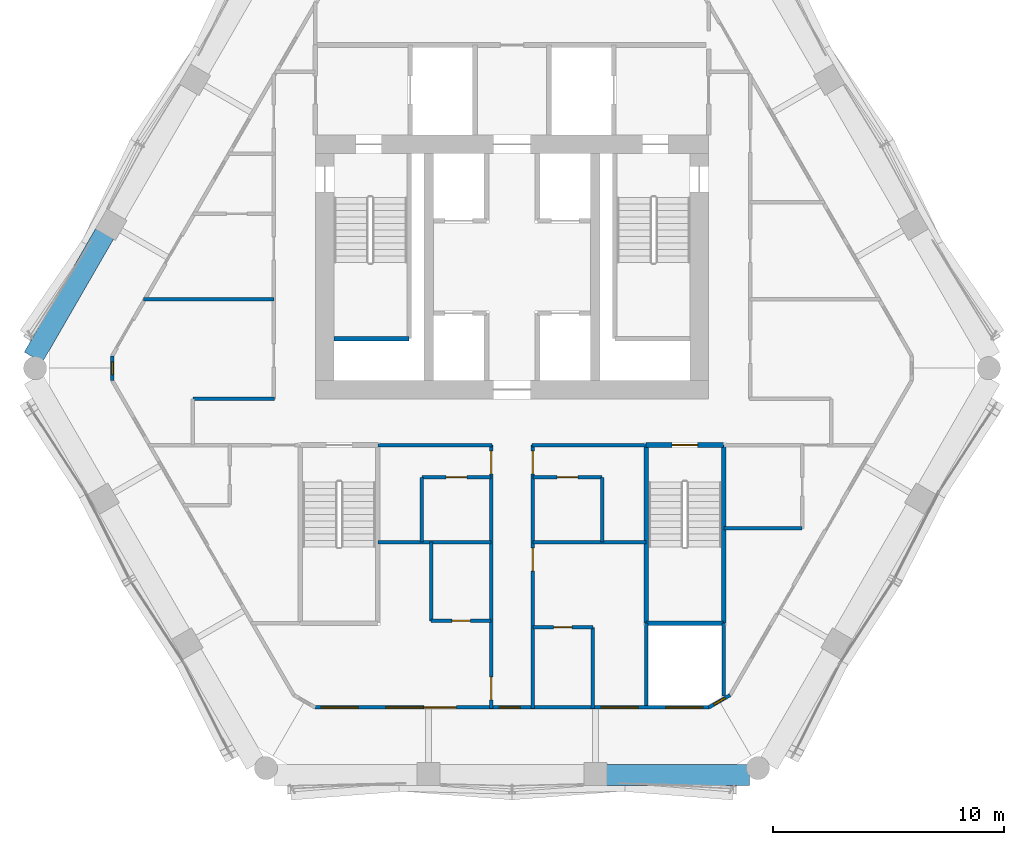
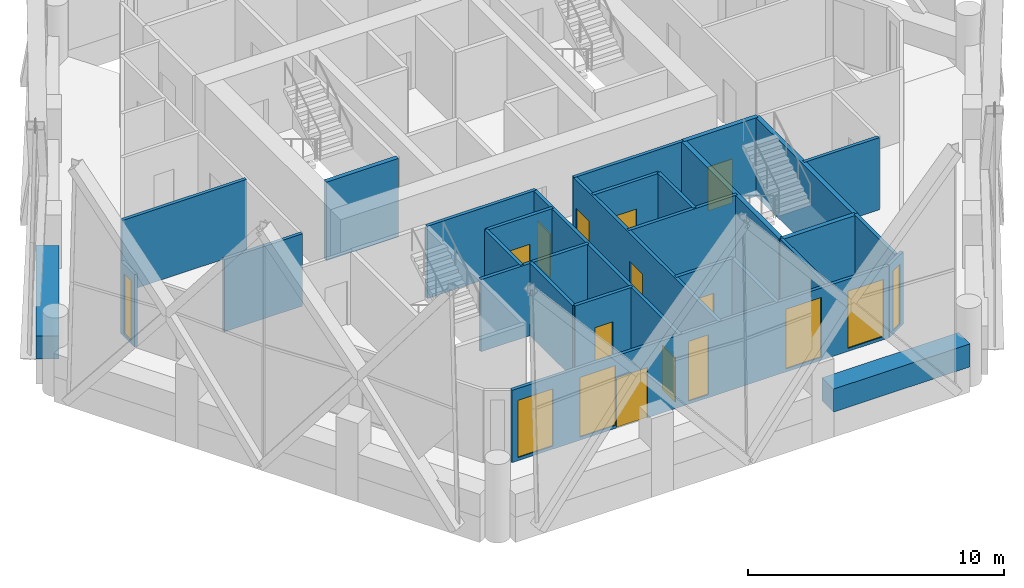
# One storey, part 10 of 18: 29 walls, 10 doors, 7 windows, 17 openings.
"""IFC4 building model written with IfcOpenShell, lengths in metres."""

from ifc_helpers import new_model, si_unit, direction, frame, frame_2d, origin, place, context, subcontext, project, spatial, rectangle, extrude, material, layer, layer_set, type_object, element, fill, save


model = new_model("IFC4")

# Units and contexts
model_context = context("Model", 3, precision=1e-05, world=origin(), true_north=direction((0.0, 1.0)))
body_context = subcontext(model_context, "Body", "Model", "MODEL_VIEW")
ifc_project = project(units=[si_unit("LENGTHUNIT", "METRE"), si_unit("AREAUNIT", "SQUARE_METRE"), si_unit("VOLUMEUNIT", "CUBIC_METRE"), si_unit("PLANEANGLEUNIT", "RADIAN"), si_unit("MASSUNIT", "GRAM", prefix="KILO")], contexts=[model_context])

# Site, building, storey
site_placement = place(None, origin())
site = spatial("IfcSite", under=ifc_project, at=site_placement, CompositionType="ELEMENT")
building_placement = place(site_placement, origin())
building = spatial("IfcBuilding", under=site, at=building_placement, Name="Ostrander Bayou Hotel Tower", CompositionType="ELEMENT")
storey_placement = place(building_placement, frame((0.0, 0.0, 175.75)))
storey = spatial("IfcBuildingStorey", under=building, at=storey_placement, Name="L43", CompositionType="ELEMENT", Elevation=175.75)

# Wall, openings, door, windows
ifc_material_1 = material(Name="Aluminium framed insulated wall", Category="aluminium")
ifc_layer_1 = layer(ifc_material_1, 0.14990234375)
ifc_layer_set_1 = layer_set([ifc_layer_1], Name="GW1 glass-line wall 150 mm")
wall_type_1 = type_object("IfcWallType", Name="GW1 glass-line wall 150 mm", PredefinedType="SOLIDWALL", material=ifc_layer_set_1)
wall_1_placement = place(storey_placement, frame((-8.508056640625, -15.048583984375, 0.0), z_axis=(0.0, 0.0, 1.0), x_axis=(1.0, 0.0, 0.0)))
wall_1 = element("IfcWall", 1, at=wall_1_placement, inside=storey, type_object=wall_type_1, Name="GW1 L43 S 1", PredefinedType="SOLIDWALL", context=body_context, shape_type="SweptSolid", body=[
    extrude(rectangle(XDim=17.01611328125, YDim=0.14990234375, at=frame_2d((8.508056640625, 0.0))), origin(), (0.0, 0.0, 1.0), 3.449951171875),
])
opening_1_placement = place(wall_1_placement, frame((3.05810546875, 0.0, 0.14990234375)))
opening_1 = element("IfcOpeningElement", 2, at=opening_1_placement, cuts=wall_1, Name="Opening W3", PredefinedType="OPENING", context=body_context, shape_type="SweptSolid", body=[
    extrude(rectangle(XDim=1.60009765625, YDim=2.85009765625, at=frame_2d((0.800048828125, 1.425048828125))), frame((0.0, 0.074951171875, 0.0), z_axis=(0.0, -1.0, 0.0), x_axis=(1.0, 0.0, 0.0)), (0.0, 0.0, 1.0), 0.14990234375),
])
opening_2_placement = place(wall_1_placement, frame((4.7080078125, 0.0, 0.0)))
opening_2 = element("IfcOpeningElement", 3, at=opening_2_placement, cuts=wall_1, Name="Opening T41-803", PredefinedType="OPENING", context=body_context, shape_type="SweptSolid", body=[
    extrude(rectangle(XDim=1.39990234375, YDim=2.39990234375, at=frame_2d((0.699951171875, 1.199951171875))), frame((0.0, 0.074951171875, 0.0), z_axis=(0.0, -1.0, 0.0), x_axis=(1.0, 0.0, 0.0)), (0.0, 0.0, 1.0), 0.14990234375),
])
opening_3_placement = place(wall_1_placement, frame((7.9580078125, 0.0, 0.14990234375)))
opening_3 = element("IfcOpeningElement", 4, at=opening_3_placement, cuts=wall_1, Name="Opening W17", PredefinedType="OPENING", context=body_context, shape_type="SweptSolid", body=[
    extrude(rectangle(XDim=0.89990234375, YDim=2.85009765625, at=frame_2d((0.449951171875, 1.425048828125))), frame((0.0, 0.074951171875, 0.0), z_axis=(0.0, -1.0, 0.0), x_axis=(1.0, 0.0, 0.0)), (0.0, 0.0, 1.0), 0.14990234375),
])
opening_4_placement = place(wall_1_placement, frame((12.358154296875, 0.0, 0.14990234375)))
opening_4 = element("IfcOpeningElement", 5, at=opening_4_placement, cuts=wall_1, Name="Opening W3", PredefinedType="OPENING", context=body_context, shape_type="SweptSolid", body=[
    extrude(rectangle(XDim=1.60009765625, YDim=2.85009765625, at=frame_2d((0.800048828125, 1.425048828125))), frame((0.0, 0.074951171875, 0.0), z_axis=(0.0, -1.0, 0.0), x_axis=(1.0, 0.0, 0.0)), (0.0, 0.0, 1.0), 0.14990234375),
])
opening_5_placement = place(wall_1_placement, frame((0.25390625, 0.0, 0.14990234375)))
opening_5 = element("IfcOpeningElement", 6, at=opening_5_placement, cuts=wall_1, Name="Opening W3", PredefinedType="OPENING", context=body_context, shape_type="SweptSolid", body=[
    extrude(rectangle(XDim=1.60009765625, YDim=2.72998046875, at=frame_2d((0.800048828125, 1.364990234375))), frame((0.0, 0.074951171875, 0.0), z_axis=(0.0, -1.0, 0.0), x_axis=(1.0, 0.0, 0.0)), (0.0, 0.0, 1.0), 0.14990234375),
])
opening_6_placement = place(wall_1_placement, frame((15.162109375, 0.0, 0.14990234375)))
opening_6 = element("IfcOpeningElement", 7, at=opening_6_placement, cuts=wall_1, Name="Opening W3", PredefinedType="OPENING", context=body_context, shape_type="SweptSolid", body=[
    extrude(rectangle(XDim=1.60009765625, YDim=2.72998046875, at=frame_2d((0.800048828125, 1.364990234375))), frame((0.0, 0.074951171875, 0.0), z_axis=(0.0, -1.0, 0.0), x_axis=(1.0, 0.0, 0.0)), (0.0, 0.0, 1.0), 0.14990234375),
])
ifc_material_2 = material(Name="Aluminium and clear glass", Category="aluminium")
door_type_1 = type_object("IfcDoorType", Name="SD3 sliding glass door 1400 mm, zone 3", OperationType="SLIDING_TO_LEFT", PredefinedType="DOOR", material=ifc_material_2)
door_1_placement = place(opening_2_placement, origin())
door_1 = element("IfcDoor", 8, at=door_1_placement, inside=storey, type_object=door_type_1, Name="SD3 L43 S 1", OperationType="SLIDING_TO_LEFT", OverallHeight=2.39990234375, OverallWidth=1.39990234375, PredefinedType="DOOR", context=body_context, shape_type="SweptSolid", body=[
    extrude(rectangle(XDim=1.39990234375, YDim=2.39990234375, at=frame_2d((0.699951171875, 1.199951171875))), frame((0.0, 0.02490234375, 0.0), z_axis=(0.0, -1.0, 0.0), x_axis=(1.0, 0.0, 0.0)), (0.0, 0.0, 1.0), 0.050048828125),
])
fill(opening_2, door_1)
ifc_material_3 = material(Name="Aluminium and clear glass", Category="aluminium")
window_type_1 = type_object("IfcWindowType", Name="W17 window 900 mm, zone 3", PartitioningType="SINGLE_PANEL", PredefinedType="WINDOW", material=ifc_material_3)
window_1_placement = place(opening_3_placement, origin())
window_1 = element("IfcWindow", 9, at=window_1_placement, inside=storey, type_object=window_type_1, Name="W17 L43 S 2", OverallHeight=2.85009765625, OverallWidth=0.89990234375, PartitioningType="SINGLE_PANEL", PredefinedType="WINDOW", context=body_context, shape_type="SweptSolid", body=[
    extrude(rectangle(XDim=0.89990234375, YDim=2.85009765625, at=frame_2d((0.449951171875, 1.425048828125))), frame((0.0, 0.030029296875, 0.0), z_axis=(0.0, -1.0, 0.0), x_axis=(1.0, 0.0, 0.0)), (0.0, 0.0, 1.0), 0.06005859375),
])
fill(opening_3, window_1)
ifc_material_4 = material(Name="Aluminium and clear glass", Category="aluminium")
window_type_2 = type_object("IfcWindowType", Name="W3 fixed window 1600 mm, zone 3", PartitioningType="SINGLE_PANEL", PredefinedType="WINDOW", material=ifc_material_4)
window_2_placement = place(opening_1_placement, origin())
window_2 = element("IfcWindow", 10, at=window_2_placement, inside=storey, type_object=window_type_2, Name="W3 L43 S 1", OverallHeight=2.85009765625, OverallWidth=1.60009765625, PartitioningType="SINGLE_PANEL", PredefinedType="WINDOW", context=body_context, shape_type="SweptSolid", body=[
    extrude(rectangle(XDim=1.60009765625, YDim=2.85009765625, at=frame_2d((0.800048828125, 1.425048828125))), frame((0.0, 0.030029296875, 0.0), z_axis=(0.0, -1.0, 0.0), x_axis=(1.0, 0.0, 0.0)), (0.0, 0.0, 1.0), 0.06005859375),
])
fill(opening_1, window_2)
window_3_placement = place(opening_4_placement, origin())
window_3 = element("IfcWindow", 11, at=window_3_placement, inside=storey, type_object=window_type_2, Name="W3 L43 S 3", OverallHeight=2.85009765625, OverallWidth=1.60009765625, PartitioningType="SINGLE_PANEL", PredefinedType="WINDOW", context=body_context, shape_type="SweptSolid", body=[
    extrude(rectangle(XDim=1.60009765625, YDim=2.85009765625, at=frame_2d((0.800048828125, 1.425048828125))), frame((0.0, 0.030029296875, 0.0), z_axis=(0.0, -1.0, 0.0), x_axis=(1.0, 0.0, 0.0)), (0.0, 0.0, 1.0), 0.06005859375),
])
fill(opening_4, window_3)
window_4_placement = place(opening_5_placement, origin())
window_4 = element("IfcWindow", 12, at=window_4_placement, inside=storey, type_object=window_type_2, Name="W3 L43 S E11", OverallHeight=2.72998046875, OverallWidth=1.60009765625, PartitioningType="SINGLE_PANEL", PredefinedType="WINDOW", context=body_context, shape_type="SweptSolid", body=[
    extrude(rectangle(XDim=1.60009765625, YDim=2.72998046875, at=frame_2d((0.800048828125, 1.364990234375))), frame((0.0, 0.030029296875, 0.0), z_axis=(0.0, -1.0, 0.0), x_axis=(1.0, 0.0, 0.0)), (0.0, 0.0, 1.0), 0.06005859375),
])
fill(opening_5, window_4)
window_5_placement = place(opening_6_placement, origin())
window_5 = element("IfcWindow", 13, at=window_5_placement, inside=storey, type_object=window_type_2, Name="W3 L43 S E21", OverallHeight=2.72998046875, OverallWidth=1.60009765625, PartitioningType="SINGLE_PANEL", PredefinedType="WINDOW", context=body_context, shape_type="SweptSolid", body=[
    extrude(rectangle(XDim=1.60009765625, YDim=2.72998046875, at=frame_2d((0.800048828125, 1.364990234375))), frame((0.0, 0.030029296875, 0.0), z_axis=(0.0, -1.0, 0.0), x_axis=(1.0, 0.0, 0.0)), (0.0, 0.0, 1.0), 0.06005859375),
])
fill(opening_6, window_5)

# Wall, opening, window
wall_2_placement = place(storey_placement, frame((-17.28662109375, 0.156005859375, 0.0), z_axis=(0.0, 0.0, 1.0), x_axis=(0.0, -1.0, 0.0)))
wall_2 = element("IfcWall", 14, at=wall_2_placement, inside=storey, type_object=wall_type_1, Name="GW1 L43 corner 2", PredefinedType="SOLIDWALL", context=body_context, shape_type="SweptSolid", body=[
    extrude(rectangle(XDim=1.06494140625, YDim=0.14990234375, at=frame_2d((0.532470703125, 0.0))), origin(), (0.0, 0.0, 1.0), 3.449951171875),
])
opening_7_placement = place(wall_2_placement, frame((0.257568359375, 0.0, 0.14990234375)))
opening_7 = element("IfcOpeningElement", 15, at=opening_7_placement, cuts=wall_2, Name="Opening W19", PredefinedType="OPENING", context=body_context, shape_type="SweptSolid", body=[
    extrude(rectangle(XDim=0.550048828125, YDim=2.85009765625, at=frame_2d((0.27490234375, 1.425048828125))), frame((0.0, 0.074951171875, 0.0), z_axis=(0.0, -1.0, 0.0), x_axis=(1.0, 0.0, 0.0)), (0.0, 0.0, 1.0), 0.14990234375),
])
ifc_material_5 = material(Name="Aluminium and clear glass", Category="aluminium")
window_type_3 = type_object("IfcWindowType", Name="W19 corner window 550 mm", PartitioningType="SINGLE_PANEL", PredefinedType="WINDOW", material=ifc_material_5)
window_6_placement = place(opening_7_placement, origin())
window_6 = element("IfcWindow", 16, at=window_6_placement, inside=storey, type_object=window_type_3, Name="W19 L43 corner 2", OverallHeight=2.85009765625, OverallWidth=0.550048828125, PartitioningType="SINGLE_PANEL", PredefinedType="WINDOW", context=body_context, shape_type="SweptSolid", body=[
    extrude(rectangle(XDim=0.550048828125, YDim=2.85009765625, at=frame_2d((0.27490234375, 1.425048828125))), frame((0.0, 0.030029296875, 0.0), z_axis=(0.0, -1.0, 0.0), x_axis=(1.0, 0.0, 0.0)), (0.0, 0.0, 1.0), 0.06005859375),
])
fill(opening_7, window_6)

wall_3_placement = place(storey_placement, frame((8.508056640625, -15.048583984375, 0.0), z_axis=(0.0, 0.0, 1.0), x_axis=(0.866048165231, 0.499960573946, 0.0)))
wall_3 = element("IfcWall", 17, at=wall_3_placement, inside=storey, type_object=wall_type_1, Name="GW1 L43 corner 4", PredefinedType="SOLIDWALL", context=body_context, shape_type="SweptSolid", body=[
    extrude(rectangle(XDim=1.06494140625, YDim=0.14990234375, at=frame_2d((0.532470703125, 0.0))), origin(), (0.0, 0.0, 1.0), 3.449951171875),
])
opening_8_placement = place(wall_3_placement, frame((0.257568359375, 0.0, 0.14990234375)))
opening_8 = element("IfcOpeningElement", 18, at=opening_8_placement, cuts=wall_3, Name="Opening W19", PredefinedType="OPENING", context=body_context, shape_type="SweptSolid", body=[
    extrude(rectangle(XDim=0.550048828125, YDim=2.85009765625, at=frame_2d((0.27490234375, 1.425048828125))), frame((0.0, 0.074951171875, 0.0), z_axis=(0.0, -1.0, 0.0), x_axis=(1.0, 0.0, 0.0)), (0.0, 0.0, 1.0), 0.14990234375),
])
window_7_placement = place(opening_8_placement, origin())
window_7 = element("IfcWindow", 19, at=window_7_placement, inside=storey, type_object=window_type_3, Name="W19 L43 corner 4", OverallHeight=2.85009765625, OverallWidth=0.550048828125, PartitioningType="SINGLE_PANEL", PredefinedType="WINDOW", context=body_context, shape_type="SweptSolid", body=[
    extrude(rectangle(XDim=0.550048828125, YDim=2.85009765625, at=frame_2d((0.27490234375, 1.425048828125))), frame((0.0, 0.030029296875, 0.0), z_axis=(0.0, -1.0, 0.0), x_axis=(1.0, 0.0, 0.0)), (0.0, 0.0, 1.0), 0.06005859375),
])
fill(opening_8, window_7)

# Walls
ifc_material_6 = material(Name="Concrete f'c 40 MPa", Category="concrete")
ifc_layer_2 = layer(ifc_material_6, 0.89990234375)
ifc_layer_set_2 = layer_set([ifc_layer_2], Name="PA1 stone-faced parapet 900 mm")
wall_type_2 = type_object("IfcWallType", Name="PA1 stone-faced parapet 900 mm", PredefinedType="PARAPET", material=ifc_layer_set_2)
for number, where, z_axis, x_axis, name in (
    (20, (-17.609619140625, 5.4462890625, 0.0), (0.0, 0.0, 1.0), (-0.500000533151, -0.866025095969, 0.0), "PA1 L43 NW-3"),
    (21, (4.088134765625, -17.9736328125, 0.0), (0.0, 0.0, 1.0), (1.0, 0.0, 0.0), "PA1 L43 S-3"),
):
    element("IfcWall", number, at=place(storey_placement, frame(where, z_axis=z_axis, x_axis=x_axis)), inside=storey, type_object=wall_type_2, Name=name, PredefinedType="PARAPET", context=body_context, shape_type="SweptSolid", body=[
        extrude(rectangle(XDim=6.18115234375, YDim=0.89990234375, at=frame_2d((3.090576171875, 0.0))), origin(), (0.0, 0.0, 1.0), 1.10009765625),
    ])
ifc_material_7 = material(Name="Gypsum board partition", Category="finish")
ifc_layer_3 = layer(ifc_material_7, 0.14990234375)
ifc_layer_set_3 = layer_set([ifc_layer_3], Name="PT7 riser wall 150 mm, 2 hour")
wall_type_3 = type_object("IfcWallType", Name="PT7 riser wall 150 mm, 2 hour", PredefinedType="PARTITIONING", material=ifc_layer_set_3)
wall_4_placement = place(storey_placement, frame((5.800048828125, -11.39990234375, 0.0), z_axis=(0.0, 0.0, 1.0), x_axis=(0.0, -1.0, 0.0)))
element("IfcWall", 22, at=wall_4_placement, inside=storey, type_object=wall_type_3, Name="cs:L43:017", PredefinedType="PARTITIONING", context=body_context, shape_type="SweptSolid", body=[
    extrude(rectangle(XDim=3.57373046875, YDim=0.14990234375, at=frame_2d((1.786865234375, 0.0))), origin(), (0.0, 0.0, 1.0), 3.449951171875),
])
wall_5_placement = place(storey_placement, frame((9.14990234375, -11.39990234375, 0.0), z_axis=(0.0, 0.0, 1.0), x_axis=(0.0, -1.0, 0.0)))
element("IfcWall", 23, at=wall_5_placement, inside=storey, type_object=wall_type_3, Name="cs:L43:018", PredefinedType="PARTITIONING", context=body_context, shape_type="SweptSolid", body=[
    extrude(rectangle(XDim=3.159912109375, YDim=0.14990234375, at=frame_2d((1.580078125, 0.0))), origin(), (0.0, 0.0, 1.0), 3.449951171875),
])

# Wall, opening, door
ifc_material_8 = material(Name="Gypsum board partition", Category="finish")
ifc_layer_4 = layer(ifc_material_8, 0.14990234375)
ifc_layer_set_4 = layer_set([ifc_layer_4], Name="PT8 service band wall 150 mm, 1 hour")
wall_type_4 = type_object("IfcWallType", Name="PT8 service band wall 150 mm, 1 hour", PredefinedType="PARTITIONING", material=ifc_layer_set_4)
wall_6_placement = place(storey_placement, frame((0.89990234375, -11.5849609375, 0.0), z_axis=(0.0, 0.0, 1.0), x_axis=(1.0, 0.0, 0.0)))
wall_6 = element("IfcWall", 24, at=wall_6_placement, inside=storey, type_object=wall_type_4, Name="gw:L43:001", PredefinedType="PARTITIONING", context=body_context, shape_type="SweptSolid", body=[
    extrude(rectangle(XDim=2.60009765625, YDim=0.14990234375, at=frame_2d((1.300048828125, 0.0))), origin(), (0.0, 0.0, 1.0), 3.449951171875),
])
opening_9_placement = place(wall_6_placement, frame((0.89990234375, 0.0, 0.0)))
opening_9 = element("IfcOpeningElement", 25, at=opening_9_placement, cuts=wall_6, Name="Opening T41-409", PredefinedType="OPENING", context=body_context, shape_type="SweptSolid", body=[
    extrude(rectangle(XDim=0.800048828125, YDim=2.10009765625, at=frame_2d((0.39990234375, 1.050048828125))), frame((0.0, 0.074951171875, 0.0), z_axis=(0.0, -1.0, 0.0), x_axis=(1.0, 0.0, 0.0)), (0.0, 0.0, 1.0), 0.14990234375),
])
ifc_material_9 = material(Name="Timber door leaf", Category="wood")
door_type_2 = type_object("IfcDoorType", Name="D2 bathroom door 800 x 2100 mm", OperationType="SINGLE_SWING_LEFT", PredefinedType="DOOR", material=ifc_material_9)
door_2_placement = place(opening_9_placement, origin())
door_2 = element("IfcDoor", 26, at=door_2_placement, inside=storey, type_object=door_type_2, Name="dr:L43:409", OperationType="SINGLE_SWING_LEFT", OverallHeight=2.10009765625, OverallWidth=0.800048828125, PredefinedType="DOOR", context=body_context, shape_type="SweptSolid", body=[
    extrude(rectangle(XDim=0.800048828125, YDim=2.10009765625, at=frame_2d((0.39990234375, 1.050048828125))), frame((0.0, 0.02490234375, 0.0), z_axis=(0.0, -1.0, 0.0), x_axis=(1.0, 0.0, 0.0)), (0.0, 0.0, 1.0), 0.050048828125),
])
fill(opening_9, door_2)

wall_7_placement = place(storey_placement, frame((-3.5, -11.300048828125, 0.0), z_axis=(0.0, 0.0, 1.0), x_axis=(1.0, 0.0, 0.0)))
wall_7 = element("IfcWall", 27, at=wall_7_placement, inside=storey, type_object=wall_type_4, Name="gw:L43:003", PredefinedType="PARTITIONING", context=body_context, shape_type="SweptSolid", body=[
    extrude(rectangle(XDim=2.60009765625, YDim=0.14990234375, at=frame_2d((1.300048828125, 0.0))), origin(), (0.0, 0.0, 1.0), 3.449951171875),
])
opening_10_placement = place(wall_7_placement, frame((0.89990234375, 0.0, 0.0)))
opening_10 = element("IfcOpeningElement", 28, at=opening_10_placement, cuts=wall_7, Name="Opening T41-405", PredefinedType="OPENING", context=body_context, shape_type="SweptSolid", body=[
    extrude(rectangle(XDim=0.800048828125, YDim=2.10009765625, at=frame_2d((0.39990234375, 1.050048828125))), frame((0.0, 0.074951171875, 0.0), z_axis=(0.0, -1.0, 0.0), x_axis=(1.0, 0.0, 0.0)), (0.0, 0.0, 1.0), 0.14990234375),
])
door_3_placement = place(opening_10_placement, origin())
door_3 = element("IfcDoor", 29, at=door_3_placement, inside=storey, type_object=door_type_2, Name="dr:L43:405", OperationType="SINGLE_SWING_RIGHT", OverallHeight=2.10009765625, OverallWidth=0.800048828125, PredefinedType="DOOR", context=body_context, shape_type="SweptSolid", body=[
    extrude(rectangle(XDim=0.800048828125, YDim=2.10009765625, at=frame_2d((0.39990234375, 1.050048828125))), frame((0.0, 0.02490234375, 0.0), z_axis=(0.0, -1.0, 0.0), x_axis=(1.0, 0.0, 0.0)), (0.0, 0.0, 1.0), 0.050048828125),
])
fill(opening_10, door_3)

# Walls
for number, where, z_axis, x_axis, name in (
    (30, (-5.7900390625, -7.89990234375, 0.0), (0.0, 0.0, 1.0), (1.0, 0.0, 0.0), "gw:L43:004"),
    (31, (0.89990234375, -7.89990234375, 0.0), (0.0, 0.0, 1.0), (1.0, 0.0, 0.0), "gw:L43:005"),
):
    element("IfcWall", number, at=place(storey_placement, frame(where, z_axis=z_axis, x_axis=x_axis)), inside=storey, type_object=wall_type_4, Name=name, PredefinedType="PARTITIONING", context=body_context, shape_type="SweptSolid", body=[
        extrude(rectangle(XDim=4.89013671875, YDim=0.14990234375, at=frame_2d((2.445068359375, 0.0))), origin(), (0.0, 0.0, 1.0), 3.449951171875),
    ])
wall_8_placement = place(storey_placement, frame((9.159912109375, -7.300048828125, 0.0), z_axis=(0.0, 0.0, 1.0), x_axis=(1.0, 0.0, 0.0)))
element("IfcWall", 32, at=wall_8_placement, inside=storey, type_object=wall_type_4, Name="gw:L43:006", PredefinedType="PARTITIONING", context=body_context, shape_type="SweptSolid", body=[
    extrude(rectangle(XDim=3.39013671875, YDim=0.14990234375, at=frame_2d((1.695068359375, 0.0))), origin(), (0.0, 0.0, 1.0), 3.449951171875),
])

# Wall, opening, door
wall_9_placement = place(storey_placement, frame((-3.89990234375, -5.10009765625, 0.0), z_axis=(0.0, 0.0, 1.0), x_axis=(1.0, 0.0, 0.0)))
wall_9 = element("IfcWall", 33, at=wall_9_placement, inside=storey, type_object=wall_type_4, Name="gw:L43:008", PredefinedType="PARTITIONING", context=body_context, shape_type="SweptSolid", body=[
    extrude(rectangle(XDim=3.0, YDim=0.14990234375, at=frame_2d((1.5, 0.0))), origin(), (0.0, 0.0, 1.0), 3.449951171875),
])
opening_11_placement = place(wall_9_placement, frame((1.050048828125, 0.0, 0.0)))
opening_11 = element("IfcOpeningElement", 34, at=opening_11_placement, cuts=wall_9, Name="Opening T41-403", PredefinedType="OPENING", context=body_context, shape_type="SweptSolid", body=[
    extrude(rectangle(XDim=0.89990234375, YDim=2.10009765625, at=frame_2d((0.449951171875, 1.050048828125))), frame((0.0, 0.074951171875, 0.0), z_axis=(0.0, -1.0, 0.0), x_axis=(1.0, 0.0, 0.0)), (0.0, 0.0, 1.0), 0.14990234375),
])
ifc_material_10 = material(Name="Timber door leaf", Category="wood")
door_type_3 = type_object("IfcDoorType", Name="D14 bathroom door 900 x 2100 mm", OperationType="SINGLE_SWING_LEFT", PredefinedType="DOOR", material=ifc_material_10)
door_4_placement = place(opening_11_placement, origin())
door_4 = element("IfcDoor", 35, at=door_4_placement, inside=storey, type_object=door_type_3, Name="dr:L43:403", OperationType="SINGLE_SWING_RIGHT", OverallHeight=2.10009765625, OverallWidth=0.89990234375, PredefinedType="DOOR", context=body_context, shape_type="SweptSolid", body=[
    extrude(rectangle(XDim=0.89990234375, YDim=2.10009765625, at=frame_2d((0.449951171875, 1.050048828125))), frame((0.0, 0.02490234375, 0.0), z_axis=(0.0, -1.0, 0.0), x_axis=(1.0, 0.0, 0.0)), (0.0, 0.0, 1.0), 0.050048828125),
])
fill(opening_11, door_4)

wall_10_placement = place(storey_placement, frame((0.89990234375, -5.10009765625, 0.0), z_axis=(0.0, 0.0, 1.0), x_axis=(1.0, 0.0, 0.0)))
wall_10 = element("IfcWall", 36, at=wall_10_placement, inside=storey, type_object=wall_type_4, Name="gw:L43:009", PredefinedType="PARTITIONING", context=body_context, shape_type="SweptSolid", body=[
    extrude(rectangle(XDim=3.0, YDim=0.14990234375, at=frame_2d((1.5, 0.0))), origin(), (0.0, 0.0, 1.0), 3.449951171875),
])
opening_12_placement = place(wall_10_placement, frame((1.050048828125, 0.0, 0.0)))
opening_12 = element("IfcOpeningElement", 37, at=opening_12_placement, cuts=wall_10, Name="Opening T41-407", PredefinedType="OPENING", context=body_context, shape_type="SweptSolid", body=[
    extrude(rectangle(XDim=0.89990234375, YDim=2.10009765625, at=frame_2d((0.449951171875, 1.050048828125))), frame((0.0, 0.074951171875, 0.0), z_axis=(0.0, -1.0, 0.0), x_axis=(1.0, 0.0, 0.0)), (0.0, 0.0, 1.0), 0.14990234375),
])
door_5_placement = place(opening_12_placement, origin())
door_5 = element("IfcDoor", 38, at=door_5_placement, inside=storey, type_object=door_type_3, Name="dr:L43:407", OperationType="SINGLE_SWING_LEFT", OverallHeight=2.10009765625, OverallWidth=0.89990234375, PredefinedType="DOOR", context=body_context, shape_type="SweptSolid", body=[
    extrude(rectangle(XDim=0.89990234375, YDim=2.10009765625, at=frame_2d((0.449951171875, 1.050048828125))), frame((0.0, 0.02490234375, 0.0), z_axis=(0.0, -1.0, 0.0), x_axis=(1.0, 0.0, 0.0)), (0.0, 0.0, 1.0), 0.050048828125),
])
fill(opening_12, door_5)

# Walls
for number, where, z_axis, x_axis, name in (
    (39, (-5.7900390625, -3.699951171875, 0.0), (0.0, 0.0, 1.0), (1.0, 0.0, 0.0), "gw:L43:011"),
    (40, (0.860107421875, -3.699951171875, 0.0), (0.0, 0.0, 1.0), (1.0, 0.0, 0.0), "gw:L43:012"),
):
    element("IfcWall", number, at=place(storey_placement, frame(where, z_axis=z_axis, x_axis=x_axis)), inside=storey, type_object=wall_type_4, Name=name, PredefinedType="PARTITIONING", context=body_context, shape_type="SweptSolid", body=[
        extrude(rectangle(XDim=4.929931640625, YDim=0.14990234375, at=frame_2d((2.46484375, 0.0))), origin(), (0.0, 0.0, 1.0), 3.449951171875),
    ])
wall_11_placement = place(storey_placement, frame((-13.800048828125, -1.699951171875, 0.0), z_axis=(0.0, 0.0, 1.0), x_axis=(1.0, 0.0, 0.0)))
element("IfcWall", 41, at=wall_11_placement, inside=storey, type_object=wall_type_4, Name="gw:L43:014", PredefinedType="PARTITIONING", context=body_context, shape_type="SweptSolid", body=[
    extrude(rectangle(XDim=3.5400390625, YDim=0.14990234375, at=frame_2d((1.77001953125, 0.0))), origin(), (0.0, 0.0, 1.0), 3.449951171875),
])
wall_12_placement = place(storey_placement, frame((-15.927001953125, 2.60009765625, 0.0), z_axis=(0.0, 0.0, 1.0), x_axis=(1.0, 0.0, 0.0)))
element("IfcWall", 42, at=wall_12_placement, inside=storey, type_object=wall_type_4, Name="gw:L43:016", PredefinedType="PARTITIONING", context=body_context, shape_type="SweptSolid", body=[
    extrude(rectangle(XDim=5.626953125, YDim=0.14990234375, at=frame_2d((2.8134765625, 0.0))), origin(), (0.0, 0.0, 1.0), 3.449951171875),
])
wall_13_placement = place(storey_placement, frame((3.89990234375, -7.89990234375, 0.0), z_axis=(0.0, 0.0, 1.0), x_axis=(0.0, 1.0, 0.0)))
element("IfcWall", 43, at=wall_13_placement, inside=storey, type_object=wall_type_4, Name="gw:L43:029", PredefinedType="PARTITIONING", context=body_context, shape_type="SweptSolid", body=[
    extrude(rectangle(XDim=2.7998046875, YDim=0.14990234375, at=frame_2d((1.39990234375, 0.0))), origin(), (0.0, 0.0, 1.0), 3.449951171875),
])
wall_14_placement = place(storey_placement, frame((3.5, -15.093994140625, 0.0), z_axis=(0.0, 0.0, 1.0), x_axis=(0.0, 1.0, 0.0)))
element("IfcWall", 44, at=wall_14_placement, inside=storey, type_object=wall_type_4, Name="gw:L43:030", PredefinedType="PARTITIONING", context=body_context, shape_type="SweptSolid", body=[
    extrude(rectangle(XDim=3.509033203125, YDim=0.14990234375, at=frame_2d((1.75439453125, 0.0))), origin(), (0.0, 0.0, 1.0), 3.449951171875),
])

# Wall, openings, doors
wall_15_placement = place(storey_placement, frame((0.89990234375, -15.093994140625, 0.0), z_axis=(0.0, 0.0, 1.0), x_axis=(0.0, 1.0, 0.0)))
wall_15 = element("IfcWall", 45, at=wall_15_placement, inside=storey, type_object=wall_type_4, Name="gw:L43:031", PredefinedType="PARTITIONING", context=body_context, shape_type="SweptSolid", body=[
    extrude(rectangle(XDim=11.39404296875, YDim=0.14990234375, at=frame_2d((5.697021484375, 0.0))), origin(), (0.0, 0.0, 1.0), 3.449951171875),
])
opening_13_placement = place(wall_15_placement, frame((10.14404296875, 0.0, 0.0)))
opening_13 = element("IfcOpeningElement", 46, at=opening_13_placement, cuts=wall_15, Name="Opening T41-406", PredefinedType="OPENING", context=body_context, shape_type="SweptSolid", body=[
    extrude(rectangle(XDim=1.0, YDim=2.10009765625, at=frame_2d((0.5, 1.050048828125))), frame((0.0, 0.074951171875, 0.0), z_axis=(0.0, -1.0, 0.0), x_axis=(1.0, 0.0, 0.0)), (0.0, 0.0, 1.0), 0.14990234375),
])
opening_14_placement = place(wall_15_placement, frame((5.944091796875, 0.0, 0.0)))
opening_14 = element("IfcOpeningElement", 47, at=opening_14_placement, cuts=wall_15, Name="Opening T41-408", PredefinedType="OPENING", context=body_context, shape_type="SweptSolid", body=[
    extrude(rectangle(XDim=1.0, YDim=2.10009765625, at=frame_2d((0.5, 1.050048828125))), frame((0.0, 0.074951171875, 0.0), z_axis=(0.0, -1.0, 0.0), x_axis=(1.0, 0.0, 0.0)), (0.0, 0.0, 1.0), 0.14990234375),
])
ifc_material_11 = material(Name="Timber door leaf", Category="wood")
door_type_4 = type_object("IfcDoorType", Name="D1 guest room door 1000 x 2100 mm, 30 minute", OperationType="SINGLE_SWING_LEFT", PredefinedType="DOOR", material=ifc_material_11)
door_6_placement = place(opening_13_placement, origin())
door_6 = element("IfcDoor", 48, at=door_6_placement, inside=storey, type_object=door_type_4, Name="dr:L43:406", OperationType="SINGLE_SWING_RIGHT", OverallHeight=2.10009765625, OverallWidth=1.0, PredefinedType="DOOR", context=body_context, shape_type="SweptSolid", body=[
    extrude(rectangle(XDim=1.0, YDim=2.10009765625, at=frame_2d((0.5, 1.050048828125))), frame((0.0, 0.02490234375, 0.0), z_axis=(0.0, -1.0, 0.0), x_axis=(1.0, 0.0, 0.0)), (0.0, 0.0, 1.0), 0.050048828125),
])
fill(opening_13, door_6)
door_7_placement = place(opening_14_placement, origin())
door_7 = element("IfcDoor", 49, at=door_7_placement, inside=storey, type_object=door_type_4, Name="dr:L43:408", OperationType="SINGLE_SWING_RIGHT", OverallHeight=2.10009765625, OverallWidth=1.0, PredefinedType="DOOR", context=body_context, shape_type="SweptSolid", body=[
    extrude(rectangle(XDim=1.0, YDim=2.10009765625, at=frame_2d((0.5, 1.050048828125))), frame((0.0, 0.02490234375, 0.0), z_axis=(0.0, -1.0, 0.0), x_axis=(1.0, 0.0, 0.0)), (0.0, 0.0, 1.0), 0.050048828125),
])
fill(opening_14, door_7)

wall_16_placement = place(storey_placement, frame((-0.89990234375, -15.093994140625, 0.0), z_axis=(0.0, 0.0, 1.0), x_axis=(0.0, 1.0, 0.0)))
wall_16 = element("IfcWall", 50, at=wall_16_placement, inside=storey, type_object=wall_type_4, Name="gw:L43:032", PredefinedType="PARTITIONING", context=body_context, shape_type="SweptSolid", body=[
    extrude(rectangle(XDim=11.39404296875, YDim=0.14990234375, at=frame_2d((5.697021484375, 0.0))), origin(), (0.0, 0.0, 1.0), 3.449951171875),
])
opening_15_placement = place(wall_16_placement, frame((10.14404296875, 0.0, 0.0)))
opening_15 = element("IfcOpeningElement", 51, at=opening_15_placement, cuts=wall_16, Name="Opening T41-402", PredefinedType="OPENING", context=body_context, shape_type="SweptSolid", body=[
    extrude(rectangle(XDim=1.0, YDim=2.10009765625, at=frame_2d((0.5, 1.050048828125))), frame((0.0, 0.074951171875, 0.0), z_axis=(0.0, -1.0, 0.0), x_axis=(1.0, 0.0, 0.0)), (0.0, 0.0, 1.0), 0.14990234375),
])
opening_16_placement = place(wall_16_placement, frame((0.368896484375, 0.0, 0.0)))
opening_16 = element("IfcOpeningElement", 52, at=opening_16_placement, cuts=wall_16, Name="Opening T41-404", PredefinedType="OPENING", context=body_context, shape_type="SweptSolid", body=[
    extrude(rectangle(XDim=1.0, YDim=2.10009765625, at=frame_2d((0.5, 1.050048828125))), frame((0.0, 0.074951171875, 0.0), z_axis=(0.0, -1.0, 0.0), x_axis=(1.0, 0.0, 0.0)), (0.0, 0.0, 1.0), 0.14990234375),
])
door_8_placement = place(opening_15_placement, origin())
door_8 = element("IfcDoor", 53, at=door_8_placement, inside=storey, type_object=door_type_4, Name="dr:L43:402", OperationType="SINGLE_SWING_RIGHT", OverallHeight=2.10009765625, OverallWidth=1.0, PredefinedType="DOOR", context=body_context, shape_type="SweptSolid", body=[
    extrude(rectangle(XDim=1.0, YDim=2.10009765625, at=frame_2d((0.5, 1.050048828125))), frame((0.0, 0.02490234375, 0.0), z_axis=(0.0, -1.0, 0.0), x_axis=(1.0, 0.0, 0.0)), (0.0, 0.0, 1.0), 0.050048828125),
])
fill(opening_15, door_8)
door_9_placement = place(opening_16_placement, origin())
door_9 = element("IfcDoor", 54, at=door_9_placement, inside=storey, type_object=door_type_4, Name="dr:L43:404", OperationType="SINGLE_SWING_LEFT", OverallHeight=2.10009765625, OverallWidth=1.0, PredefinedType="DOOR", context=body_context, shape_type="SweptSolid", body=[
    extrude(rectangle(XDim=1.0, YDim=2.10009765625, at=frame_2d((0.5, 1.050048828125))), frame((0.0, 0.02490234375, 0.0), z_axis=(0.0, -1.0, 0.0), x_axis=(1.0, 0.0, 0.0)), (0.0, 0.0, 1.0), 0.050048828125),
])
fill(opening_16, door_9)

# Walls
wall_17_placement = place(storey_placement, frame((-3.5, -11.300048828125, 0.0), z_axis=(0.0, 0.0, 1.0), x_axis=(0.0, 1.0, 0.0)))
element("IfcWall", 55, at=wall_17_placement, inside=storey, type_object=wall_type_4, Name="gw:L43:033", PredefinedType="PARTITIONING", context=body_context, shape_type="SweptSolid", body=[
    extrude(rectangle(XDim=3.400146484375, YDim=0.14990234375, at=frame_2d((1.7001953125, 0.0))), origin(), (0.0, 0.0, 1.0), 3.449951171875),
])
wall_18_placement = place(storey_placement, frame((-3.89990234375, -7.89990234375, 0.0), z_axis=(0.0, 0.0, 1.0), x_axis=(0.0, 1.0, 0.0)))
element("IfcWall", 56, at=wall_18_placement, inside=storey, type_object=wall_type_4, Name="gw:L43:034", PredefinedType="PARTITIONING", context=body_context, shape_type="SweptSolid", body=[
    extrude(rectangle(XDim=2.7998046875, YDim=0.14990234375, at=frame_2d((1.39990234375, 0.0))), origin(), (0.0, 0.0, 1.0), 3.449951171875),
])
ifc_material_12 = material(Name="Concrete f'c 45 MPa", Category="concrete")
ifc_layer_5 = layer(ifc_material_12, 0.199951171875)
ifc_layer_set_5 = layer_set([ifc_layer_5], Name="SW5 stair enclosure wall 200 mm f'c 45 MPa")
wall_type_5 = type_object("IfcWallType", Name="SW5 stair enclosure wall 200 mm f'c 45 MPa", PredefinedType="SOLIDWALL", material=ifc_layer_set_5)
wall_19_placement = place(storey_placement, frame((-7.699951171875, 0.89990234375, -0.300048828125), z_axis=(0.0, 0.0, 1.0), x_axis=(1.0, 0.0, 0.0)))
element("IfcWall", 57, at=wall_19_placement, inside=storey, type_object=wall_type_5, Name="cs:L43:010", PredefinedType="SOLIDWALL", context=body_context, shape_type="SweptSolid", body=[
    extrude(rectangle(XDim=3.25, YDim=0.199951171875, at=frame_2d((1.625, 0.0))), origin(), (0.0, 0.0, 1.0), 3.75),
])

# Wall, opening, door
wall_20_placement = place(storey_placement, frame((5.800048828125, -3.699951171875, -0.300048828125), z_axis=(0.0, 0.0, 1.0), x_axis=(1.0, 0.0, 0.0)))
wall_20 = element("IfcWall", 58, at=wall_20_placement, inside=storey, type_object=wall_type_5, Name="cs:L43:013", PredefinedType="SOLIDWALL", context=body_context, shape_type="SweptSolid", body=[
    extrude(rectangle(XDim=3.349853515625, YDim=0.199951171875, at=frame_2d((1.6748046875, 0.0))), origin(), (0.0, 0.0, 1.0), 3.75),
])
opening_17_placement = place(wall_20_placement, frame((1.125, 0.0, 0.0)))
opening_17 = element("IfcOpeningElement", 59, at=opening_17_placement, cuts=wall_20, Name="Opening T41-011", PredefinedType="OPENING", context=body_context, shape_type="SweptSolid", body=[
    extrude(rectangle(XDim=1.10009765625, YDim=2.10009765625, at=frame_2d((0.550048828125, 1.050048828125))), frame((0.0, 0.10009765625, 0.0), z_axis=(0.0, -1.0, 0.0), x_axis=(1.0, 0.0, 0.0)), (0.0, 0.0, 1.0), 0.199951171875),
])
ifc_material_13 = material(Name="Timber door leaf", Category="wood")
door_type_5 = type_object("IfcDoorType", Name="D5 stair door 1100 x 2100 mm, 90 minute", OperationType="SINGLE_SWING_LEFT", PredefinedType="DOOR", material=ifc_material_13)
door_10_placement = place(opening_17_placement, origin())
door_10 = element("IfcDoor", 60, at=door_10_placement, inside=storey, type_object=door_type_5, Name="dr:L43:011", OperationType="SINGLE_SWING_LEFT", OverallHeight=2.10009765625, OverallWidth=1.10009765625, PredefinedType="DOOR", context=body_context, shape_type="SweptSolid", body=[
    extrude(rectangle(XDim=1.10009765625, YDim=2.10009765625, at=frame_2d((0.550048828125, 1.050048828125))), frame((0.0, 0.02490234375, 0.0), z_axis=(0.0, -1.0, 0.0), x_axis=(1.0, 0.0, 0.0)), (0.0, 0.0, 1.0), 0.050048828125),
])
fill(opening_17, door_10)

# Walls
for number, where, z_axis, x_axis, name in (
    (61, (5.800048828125, -3.699951171875, -0.300048828125), (0.0, 0.0, 1.0), (0.0, -1.0, 0.0), "cs:L43:014"),
    (62, (9.14990234375, -3.699951171875, -0.300048828125), (0.0, 0.0, 1.0), (0.0, -1.0, 0.0), "cs:L43:015"),
):
    element("IfcWall", number, at=place(storey_placement, frame(where, z_axis=z_axis, x_axis=x_axis)), inside=storey, type_object=wall_type_5, Name=name, PredefinedType="SOLIDWALL", context=body_context, shape_type="SweptSolid", body=[
        extrude(rectangle(XDim=7.699951171875, YDim=0.199951171875, at=frame_2d((3.85009765625, 0.0))), origin(), (0.0, 0.0, 1.0), 3.75),
    ])
wall_21_placement = place(storey_placement, frame((5.800048828125, -11.39990234375, -0.300048828125), z_axis=(0.0, 0.0, 1.0), x_axis=(1.0, 0.0, 0.0)))
element("IfcWall", 63, at=wall_21_placement, inside=storey, type_object=wall_type_5, Name="cs:L43:016", PredefinedType="SOLIDWALL", context=body_context, shape_type="SweptSolid", body=[
    extrude(rectangle(XDim=3.349853515625, YDim=0.199951171875, at=frame_2d((1.6748046875, 0.0))), origin(), (0.0, 0.0, 1.0), 3.75),
])

save(model, "model.ifc")
